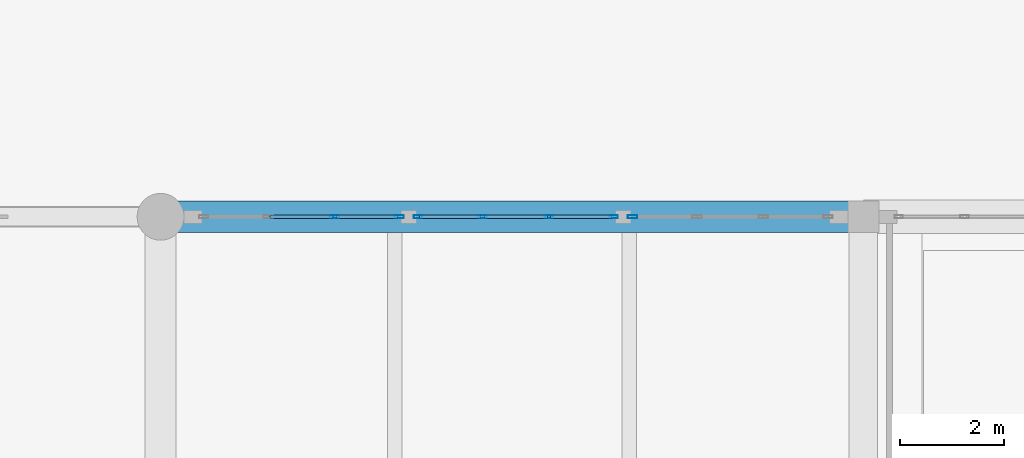
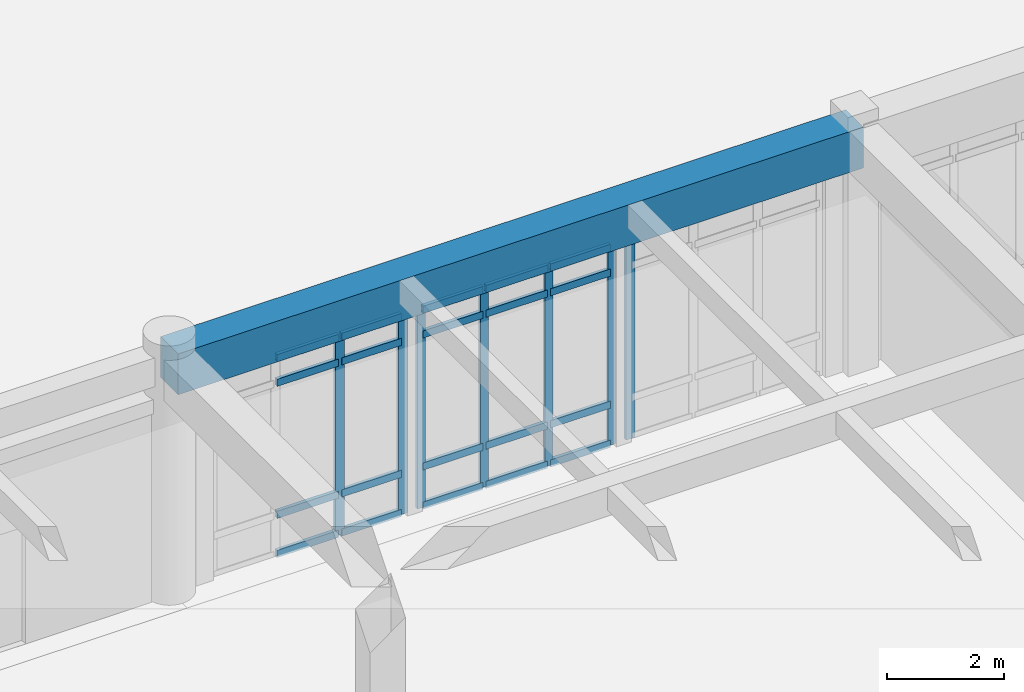
# One storey, part 23 of 138: 27 members, 1 beam, 3 elements without a shape of their own.
"""IFC4 building model written with IfcOpenShell, lengths in metres."""

from ifc_helpers import new_model, si_unit, direction, frame, origin, origin_2d, place, context, subcontext, project, spatial, rectangle, hollow_rectangle, extrude, material, layer, layer_set, material_profile, profile_set, type_object, element, aggregate, save


model = new_model("IFC4")

# Units and contexts
model_context = context("Model", 3, precision=1e-05, world=origin(), true_north=direction((0.0, 1.0)))
body_context = subcontext(model_context, "Body", "Model", "MODEL_VIEW")
ifc_project = project(units=[si_unit("LENGTHUNIT", "METRE"), si_unit("AREAUNIT", "SQUARE_METRE"), si_unit("VOLUMEUNIT", "CUBIC_METRE"), si_unit("PLANEANGLEUNIT", "RADIAN"), si_unit("MASSUNIT", "GRAM", prefix="KILO")], contexts=[model_context])

# Site, building, storey
site_placement = place(None, origin())
site = spatial("IfcSite", under=ifc_project, at=site_placement, CompositionType="ELEMENT")
building_placement = place(site_placement, origin())
building = spatial("IfcBuilding", under=site, at=building_placement, Name="Fikremerkos Civic Library", CompositionType="ELEMENT")
storey_placement = place(building_placement, origin())
storey = spatial("IfcBuildingStorey", under=building, at=storey_placement, Name="L00", CompositionType="ELEMENT", Elevation=0.0)

# Curtain wall, members
ifc_material_1 = material(Name="Anodized aluminium Frame", Category="aluminium")
ifc_layer_1 = layer(ifc_material_1, 0.159912109375, Name="Anodized aluminium Frame")
ifc_layer_set_1 = layer_set([ifc_layer_1], Name="Anodized aluminium Frame")
curtain_wall_type_1 = type_object("IfcCurtainWallType", Name="Unitised curtain wall CW-17 4600x3600", PredefinedType="USERDEFINED", material=ifc_layer_set_1)
curtain_wall_1_placement = place(storey_placement, origin())
curtain_wall_1 = element("IfcCurtainWall", 1, at=curtain_wall_1_placement, inside=storey, type_object=curtain_wall_type_1, Name="Unitised curtain wall CW-17 L00 #17", ObjectType="UNITISED CURTAIN WALL", PredefinedType="USERDEFINED")
ifc_material_profile_1 = material_profile(ifc_material_1, hollow_rectangle(XDim=0.06494140625, YDim=0.179931640625, WallThickness=0.00439453125, at=origin_2d()), Name="ALU 180x65x4.5")
ifc_profile_set_1 = profile_set([ifc_material_profile_1], Name="Anodized aluminium Frame")
member_type_1 = type_object("IfcMemberType", Name="Curtain mullion CWM-01 ALU 180x65x4.5", PredefinedType="MULLION", material=ifc_profile_set_1)
member_1_placement = place(storey_placement, frame((90.043212890625, 48.0, 0.0), z_axis=(0.0, 0.0, 1.0), x_axis=(0.0, 1.0, 0.0)))
member_1 = element("IfcMember", 2, at=member_1_placement, type_object=member_type_1, Name="CW-17 mullion 3", PredefinedType="MULLION", context=body_context, shape_type="SweptSolid", body=[
    extrude(hollow_rectangle(XDim=0.06494140625, YDim=0.179931640625, WallThickness=0.00439453125, at=origin_2d()), origin(), (0.0, 0.0, 1.0), 4.14990234375),
])
member_2_placement = place(storey_placement, frame((91.283447265625, 48.0, 0.0), z_axis=(0.0, 0.0, 1.0), x_axis=(0.0, 1.0, 0.0)))
member_2 = element("IfcMember", 3, at=member_2_placement, type_object=member_type_1, Name="CW-17 mullion 4", PredefinedType="MULLION", context=body_context, shape_type="SweptSolid", body=[
    extrude(hollow_rectangle(XDim=0.06494140625, YDim=0.179931640625, WallThickness=0.00439453125, at=origin_2d()), origin(), (0.0, 0.0, 1.0), 4.14990234375),
])

# Curtain wall, member
ifc_layer_2 = layer(ifc_material_1, 0.159912109375, Name="Anodized aluminium Frame")
ifc_layer_set_2 = layer_set([ifc_layer_2], Name="Anodized aluminium Frame")
curtain_wall_type_2 = type_object("IfcCurtainWallType", Name="Unitised curtain wall CW-01 3600x3600", PredefinedType="USERDEFINED", material=ifc_layer_set_2)
curtain_wall_2_placement = place(storey_placement, origin())
curtain_wall_2 = element("IfcCurtainWall", 4, at=curtain_wall_2_placement, inside=storey, type_object=curtain_wall_type_2, Name="Unitised curtain wall CW-01 L00 #19", ObjectType="UNITISED CURTAIN WALL", PredefinedType="USERDEFINED")
member_3_placement = place(storey_placement, frame((95.7666015625, 48.0, 0.0), z_axis=(0.0, 0.0, 1.0), x_axis=(0.0, 1.0, 0.0)))
member_3 = element("IfcMember", 5, at=member_3_placement, type_object=member_type_1, Name="CW-01 mullion 1", PredefinedType="MULLION", context=body_context, shape_type="SweptSolid", body=[
    extrude(hollow_rectangle(XDim=0.06494140625, YDim=0.179931640625, WallThickness=0.00439453125, at=origin_2d()), origin(), (0.0, 0.0, 1.0), 4.14990234375),
])
aggregate(curtain_wall_2, [member_3])

# Curtain wall, members
ifc_layer_3 = layer(ifc_material_1, 0.159912109375, Name="Anodized aluminium Frame")
ifc_layer_set_3 = layer_set([ifc_layer_3], Name="Anodized aluminium Frame")
curtain_wall_type_3 = type_object("IfcCurtainWallType", Name="Unitised curtain wall CW-18 2700x3400", PredefinedType="USERDEFINED", material=ifc_layer_set_3)
curtain_wall_3_placement = place(storey_placement, origin())
curtain_wall_3 = element("IfcCurtainWall", 6, at=curtain_wall_3_placement, inside=storey, type_object=curtain_wall_type_3, Name="Unitised curtain wall CW-18 L00 #18", ObjectType="UNITISED CURTAIN WALL", PredefinedType="USERDEFINED")
ifc_material_profile_2 = material_profile(ifc_material_1, hollow_rectangle(XDim=0.06005859375, YDim=0.159912109375, WallThickness=0.00390625, at=origin_2d()), Name="ALU 160x60x4")
ifc_profile_set_2 = profile_set([ifc_material_profile_2], Name="Anodized aluminium Frame")
member_type_2 = type_object("IfcMemberType", Name="Curtain mullion CWM-02 ALU 160x60x4", PredefinedType="MULLION", material=ifc_profile_set_2)
member_4_placement = place(storey_placement, frame((91.64599609375, 48.0, 0.0), z_axis=(0.0, 0.0, 1.0), x_axis=(0.0, 1.0, 0.0)))
member_4 = element("IfcMember", 7, at=member_4_placement, type_object=member_type_2, Name="CW-18 mullion 1", PredefinedType="MULLION", context=body_context, shape_type="SweptSolid", body=[
    extrude(hollow_rectangle(XDim=0.06005859375, YDim=0.159912109375, WallThickness=0.00390625, at=origin_2d()), origin(), (0.0, 0.0, 1.0), 4.14990234375),
])
member_5_placement = place(storey_placement, frame((92.888671875, 48.0, 0.0), z_axis=(0.0, 0.0, 1.0), x_axis=(0.0, 1.0, 0.0)))
member_5 = element("IfcMember", 8, at=member_5_placement, type_object=member_type_2, Name="CW-18 mullion 2", PredefinedType="MULLION", context=body_context, shape_type="SweptSolid", body=[
    extrude(hollow_rectangle(XDim=0.06005859375, YDim=0.159912109375, WallThickness=0.00390625, at=origin_2d()), origin(), (0.0, 0.0, 1.0), 4.14990234375),
])
member_6_placement = place(storey_placement, frame((94.161376953125, 48.0, 0.0), z_axis=(0.0, 0.0, 1.0), x_axis=(0.0, 1.0, 0.0)))
member_6 = element("IfcMember", 9, at=member_6_placement, type_object=member_type_2, Name="CW-18 mullion 3", PredefinedType="MULLION", context=body_context, shape_type="SweptSolid", body=[
    extrude(hollow_rectangle(XDim=0.06005859375, YDim=0.159912109375, WallThickness=0.00390625, at=origin_2d()), origin(), (0.0, 0.0, 1.0), 4.14990234375),
])
member_7_placement = place(storey_placement, frame((95.404052734375, 48.0, 0.0), z_axis=(0.0, 0.0, 1.0), x_axis=(0.0, 1.0, 0.0)))
member_7 = element("IfcMember", 10, at=member_7_placement, type_object=member_type_2, Name="CW-18 mullion 4", PredefinedType="MULLION", context=body_context, shape_type="SweptSolid", body=[
    extrude(hollow_rectangle(XDim=0.06005859375, YDim=0.159912109375, WallThickness=0.00390625, at=origin_2d()), origin(), (0.0, 0.0, 1.0), 4.14990234375),
])

# Member
ifc_material_profile_3 = material_profile(ifc_material_1, hollow_rectangle(XDim=0.070068359375, YDim=0.14990234375, WallThickness=0.00439453125, at=origin_2d()), Name="ALU 150x70x4.5")
ifc_profile_set_3 = profile_set([ifc_material_profile_3], Name="Anodized aluminium Frame")
member_type_3 = type_object("IfcMemberType", Name="Curtain transom CWT-01 ALU 150x70x4.5", PredefinedType="USERDEFINED", material=ifc_profile_set_3)
member_8_placement = place(storey_placement, frame((88.80322265625, 48.0, 0.034912109375), z_axis=(1.0, 0.0, 0.0), x_axis=(0.0, 1.0, 0.0)))
member_8 = element("IfcMember", 11, at=member_8_placement, type_object=member_type_3, Name="CW-17 transom 2.1", ObjectType="TRANSOM", PredefinedType="USERDEFINED", context=body_context, shape_type="SweptSolid", body=[
    extrude(hollow_rectangle(XDim=0.070068359375, YDim=0.14990234375, WallThickness=0.00439453125, at=origin_2d()), origin(), (0.0, 0.0, 1.0), 1.20751953125),
])

member_9_placement = place(storey_placement, frame((88.80322265625, 48.0, 0.85009765625), z_axis=(1.0, 0.0, 0.0), x_axis=(0.0, 1.0, 0.0)))
member_9 = element("IfcMember", 12, at=member_9_placement, type_object=member_type_3, Name="CW-17 transom 2.2", ObjectType="TRANSOM", PredefinedType="USERDEFINED", context=body_context, shape_type="SweptSolid", body=[
    extrude(hollow_rectangle(XDim=0.070068359375, YDim=0.14990234375, WallThickness=0.00439453125, at=origin_2d()), origin(), (0.0, 0.0, 1.0), 1.20751953125),
])

member_10_placement = place(storey_placement, frame((88.80322265625, 48.0, 3.60009765625), z_axis=(1.0, 0.0, 0.0), x_axis=(0.0, 1.0, 0.0)))
member_10 = element("IfcMember", 13, at=member_10_placement, type_object=member_type_3, Name="CW-17 transom 2.3", ObjectType="TRANSOM", PredefinedType="USERDEFINED", context=body_context, shape_type="SweptSolid", body=[
    extrude(hollow_rectangle(XDim=0.070068359375, YDim=0.14990234375, WallThickness=0.00439453125, at=origin_2d()), origin(), (0.0, 0.0, 1.0), 1.20751953125),
])

member_11_placement = place(storey_placement, frame((88.80322265625, 48.0, 4.114990234375), z_axis=(1.0, 0.0, 0.0), x_axis=(0.0, 1.0, 0.0)))
member_11 = element("IfcMember", 14, at=member_11_placement, type_object=member_type_3, Name="CW-17 transom 2.4", ObjectType="TRANSOM", PredefinedType="USERDEFINED", context=body_context, shape_type="SweptSolid", body=[
    extrude(hollow_rectangle(XDim=0.070068359375, YDim=0.14990234375, WallThickness=0.00439453125, at=origin_2d()), origin(), (0.0, 0.0, 1.0), 1.20751953125),
])

member_12_placement = place(storey_placement, frame((90.075927734375, 48.0, 0.034912109375), z_axis=(1.0, 0.0, 0.0), x_axis=(0.0, 1.0, 0.0)))
member_12 = element("IfcMember", 15, at=member_12_placement, type_object=member_type_3, Name="CW-17 transom 3.1", ObjectType="TRANSOM", PredefinedType="USERDEFINED", context=body_context, shape_type="SweptSolid", body=[
    extrude(hollow_rectangle(XDim=0.070068359375, YDim=0.14990234375, WallThickness=0.00439453125, at=origin_2d()), origin(), (0.0, 0.0, 1.0), 1.175048828125),
])

member_13_placement = place(storey_placement, frame((90.075927734375, 48.0, 0.85009765625), z_axis=(1.0, 0.0, 0.0), x_axis=(0.0, 1.0, 0.0)))
member_13 = element("IfcMember", 16, at=member_13_placement, type_object=member_type_3, Name="CW-17 transom 3.2", ObjectType="TRANSOM", PredefinedType="USERDEFINED", context=body_context, shape_type="SweptSolid", body=[
    extrude(hollow_rectangle(XDim=0.070068359375, YDim=0.14990234375, WallThickness=0.00439453125, at=origin_2d()), origin(), (0.0, 0.0, 1.0), 1.175048828125),
])

member_14_placement = place(storey_placement, frame((90.075927734375, 48.0, 3.60009765625), z_axis=(1.0, 0.0, 0.0), x_axis=(0.0, 1.0, 0.0)))
member_14 = element("IfcMember", 17, at=member_14_placement, type_object=member_type_3, Name="CW-17 transom 3.3", ObjectType="TRANSOM", PredefinedType="USERDEFINED", context=body_context, shape_type="SweptSolid", body=[
    extrude(hollow_rectangle(XDim=0.070068359375, YDim=0.14990234375, WallThickness=0.00439453125, at=origin_2d()), origin(), (0.0, 0.0, 1.0), 1.175048828125),
])

member_15_placement = place(storey_placement, frame((90.075927734375, 48.0, 4.114990234375), z_axis=(1.0, 0.0, 0.0), x_axis=(0.0, 1.0, 0.0)))
member_15 = element("IfcMember", 18, at=member_15_placement, type_object=member_type_3, Name="CW-17 transom 3.4", ObjectType="TRANSOM", PredefinedType="USERDEFINED", context=body_context, shape_type="SweptSolid", body=[
    extrude(hollow_rectangle(XDim=0.070068359375, YDim=0.14990234375, WallThickness=0.00439453125, at=origin_2d()), origin(), (0.0, 0.0, 1.0), 1.175048828125),
])

aggregate(curtain_wall_1, [member_1, member_2, member_8, member_9, member_10, member_11, member_12, member_13, member_14, member_15])

member_16_placement = place(storey_placement, frame((91.676025390625, 48.0, 0.034912109375), z_axis=(1.0, 0.0, 0.0), x_axis=(0.0, 1.0, 0.0)))
member_16 = element("IfcMember", 19, at=member_16_placement, type_object=member_type_3, Name="CW-18 transom 1.1", ObjectType="TRANSOM", PredefinedType="USERDEFINED", context=body_context, shape_type="SweptSolid", body=[
    extrude(hollow_rectangle(XDim=0.070068359375, YDim=0.14990234375, WallThickness=0.00439453125, at=origin_2d()), origin(), (0.0, 0.0, 1.0), 1.1826171875),
])

member_17_placement = place(storey_placement, frame((91.676025390625, 48.0, 0.85009765625), z_axis=(1.0, 0.0, 0.0), x_axis=(0.0, 1.0, 0.0)))
member_17 = element("IfcMember", 20, at=member_17_placement, type_object=member_type_3, Name="CW-18 transom 1.2", ObjectType="TRANSOM", PredefinedType="USERDEFINED", context=body_context, shape_type="SweptSolid", body=[
    extrude(hollow_rectangle(XDim=0.070068359375, YDim=0.14990234375, WallThickness=0.00439453125, at=origin_2d()), origin(), (0.0, 0.0, 1.0), 1.1826171875),
])

member_18_placement = place(storey_placement, frame((91.676025390625, 48.0, 3.60009765625), z_axis=(1.0, 0.0, 0.0), x_axis=(0.0, 1.0, 0.0)))
member_18 = element("IfcMember", 21, at=member_18_placement, type_object=member_type_3, Name="CW-18 transom 1.3", ObjectType="TRANSOM", PredefinedType="USERDEFINED", context=body_context, shape_type="SweptSolid", body=[
    extrude(hollow_rectangle(XDim=0.070068359375, YDim=0.14990234375, WallThickness=0.00439453125, at=origin_2d()), origin(), (0.0, 0.0, 1.0), 1.1826171875),
])

member_19_placement = place(storey_placement, frame((91.676025390625, 48.0, 4.114990234375), z_axis=(1.0, 0.0, 0.0), x_axis=(0.0, 1.0, 0.0)))
member_19 = element("IfcMember", 22, at=member_19_placement, type_object=member_type_3, Name="CW-18 transom 1.4", ObjectType="TRANSOM", PredefinedType="USERDEFINED", context=body_context, shape_type="SweptSolid", body=[
    extrude(hollow_rectangle(XDim=0.070068359375, YDim=0.14990234375, WallThickness=0.00439453125, at=origin_2d()), origin(), (0.0, 0.0, 1.0), 1.1826171875),
])

member_20_placement = place(storey_placement, frame((92.918701171875, 48.0, 0.034912109375), z_axis=(1.0, 0.0, 0.0), x_axis=(0.0, 1.0, 0.0)))
member_20 = element("IfcMember", 23, at=member_20_placement, type_object=member_type_3, Name="CW-18 transom 2.1", ObjectType="TRANSOM", PredefinedType="USERDEFINED", context=body_context, shape_type="SweptSolid", body=[
    extrude(hollow_rectangle(XDim=0.070068359375, YDim=0.14990234375, WallThickness=0.00439453125, at=origin_2d()), origin(), (0.0, 0.0, 1.0), 1.212646484375),
])

member_21_placement = place(storey_placement, frame((92.918701171875, 48.0, 0.85009765625), z_axis=(1.0, 0.0, 0.0), x_axis=(0.0, 1.0, 0.0)))
member_21 = element("IfcMember", 24, at=member_21_placement, type_object=member_type_3, Name="CW-18 transom 2.2", ObjectType="TRANSOM", PredefinedType="USERDEFINED", context=body_context, shape_type="SweptSolid", body=[
    extrude(hollow_rectangle(XDim=0.070068359375, YDim=0.14990234375, WallThickness=0.00439453125, at=origin_2d()), origin(), (0.0, 0.0, 1.0), 1.212646484375),
])

member_22_placement = place(storey_placement, frame((92.918701171875, 48.0, 3.60009765625), z_axis=(1.0, 0.0, 0.0), x_axis=(0.0, 1.0, 0.0)))
member_22 = element("IfcMember", 25, at=member_22_placement, type_object=member_type_3, Name="CW-18 transom 2.3", ObjectType="TRANSOM", PredefinedType="USERDEFINED", context=body_context, shape_type="SweptSolid", body=[
    extrude(hollow_rectangle(XDim=0.070068359375, YDim=0.14990234375, WallThickness=0.00439453125, at=origin_2d()), origin(), (0.0, 0.0, 1.0), 1.212646484375),
])

member_23_placement = place(storey_placement, frame((92.918701171875, 48.0, 4.114990234375), z_axis=(1.0, 0.0, 0.0), x_axis=(0.0, 1.0, 0.0)))
member_23 = element("IfcMember", 26, at=member_23_placement, type_object=member_type_3, Name="CW-18 transom 2.4", ObjectType="TRANSOM", PredefinedType="USERDEFINED", context=body_context, shape_type="SweptSolid", body=[
    extrude(hollow_rectangle(XDim=0.070068359375, YDim=0.14990234375, WallThickness=0.00439453125, at=origin_2d()), origin(), (0.0, 0.0, 1.0), 1.212646484375),
])

member_24_placement = place(storey_placement, frame((94.19140625, 48.0, 0.034912109375), z_axis=(1.0, 0.0, 0.0), x_axis=(0.0, 1.0, 0.0)))
member_24 = element("IfcMember", 27, at=member_24_placement, type_object=member_type_3, Name="CW-18 transom 3.1", ObjectType="TRANSOM", PredefinedType="USERDEFINED", context=body_context, shape_type="SweptSolid", body=[
    extrude(hollow_rectangle(XDim=0.070068359375, YDim=0.14990234375, WallThickness=0.00439453125, at=origin_2d()), origin(), (0.0, 0.0, 1.0), 1.1826171875),
])

member_25_placement = place(storey_placement, frame((94.19140625, 48.0, 0.85009765625), z_axis=(1.0, 0.0, 0.0), x_axis=(0.0, 1.0, 0.0)))
member_25 = element("IfcMember", 28, at=member_25_placement, type_object=member_type_3, Name="CW-18 transom 3.2", ObjectType="TRANSOM", PredefinedType="USERDEFINED", context=body_context, shape_type="SweptSolid", body=[
    extrude(hollow_rectangle(XDim=0.070068359375, YDim=0.14990234375, WallThickness=0.00439453125, at=origin_2d()), origin(), (0.0, 0.0, 1.0), 1.1826171875),
])

member_26_placement = place(storey_placement, frame((94.19140625, 48.0, 3.60009765625), z_axis=(1.0, 0.0, 0.0), x_axis=(0.0, 1.0, 0.0)))
member_26 = element("IfcMember", 29, at=member_26_placement, type_object=member_type_3, Name="CW-18 transom 3.3", ObjectType="TRANSOM", PredefinedType="USERDEFINED", context=body_context, shape_type="SweptSolid", body=[
    extrude(hollow_rectangle(XDim=0.070068359375, YDim=0.14990234375, WallThickness=0.00439453125, at=origin_2d()), origin(), (0.0, 0.0, 1.0), 1.1826171875),
])

member_27_placement = place(storey_placement, frame((94.19140625, 48.0, 4.114990234375), z_axis=(1.0, 0.0, 0.0), x_axis=(0.0, 1.0, 0.0)))
member_27 = element("IfcMember", 30, at=member_27_placement, type_object=member_type_3, Name="CW-18 transom 3.4", ObjectType="TRANSOM", PredefinedType="USERDEFINED", context=body_context, shape_type="SweptSolid", body=[
    extrude(hollow_rectangle(XDim=0.070068359375, YDim=0.14990234375, WallThickness=0.00439453125, at=origin_2d()), origin(), (0.0, 0.0, 1.0), 1.1826171875),
])

aggregate(curtain_wall_3, [member_4, member_5, member_6, member_7, member_16, member_17, member_18, member_19, member_20, member_21, member_22, member_23, member_24, member_25, member_26, member_27])

# Beam
ifc_material_2 = material(Name="Concrete C40/50", Category="concrete")
ifc_material_profile_4 = material_profile(ifc_material_2, rectangle(XDim=0.60009765625, YDim=0.85009765625, at=origin_2d()), Name="RC 600x850")
ifc_profile_set_4 = profile_set([ifc_material_profile_4], Name="Concrete C40/50")
beam_type = type_object("IfcBeamType", Name="Primary girder BM-24 RC 600x850", PredefinedType="BEAM", material=ifc_profile_set_4)
beam_placement = place(storey_placement, frame((86.699951171875, 48.0, 4.675048828125), z_axis=(1.0, 0.0, 0.0), x_axis=(0.0, 1.0, 0.0)))
element("IfcBeam", 31, at=beam_placement, inside=storey, type_object=beam_type, Name="Primary girder BM-24 L00 grid J", PredefinedType="BEAM", context=body_context, shape_type="SweptSolid", body=[
    extrude(rectangle(XDim=0.60009765625, YDim=0.85009765625, at=origin_2d()), origin(), (0.0, 0.0, 1.0), 13.5),
])

save(model, "model.ifc")
